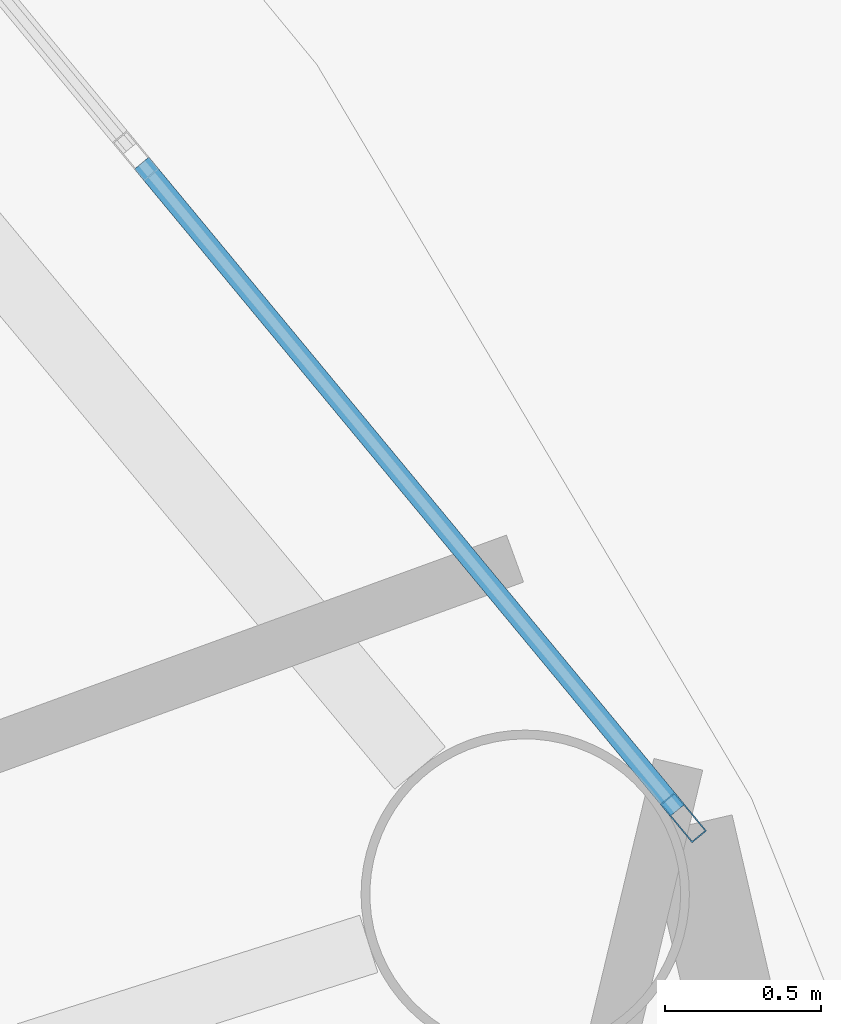
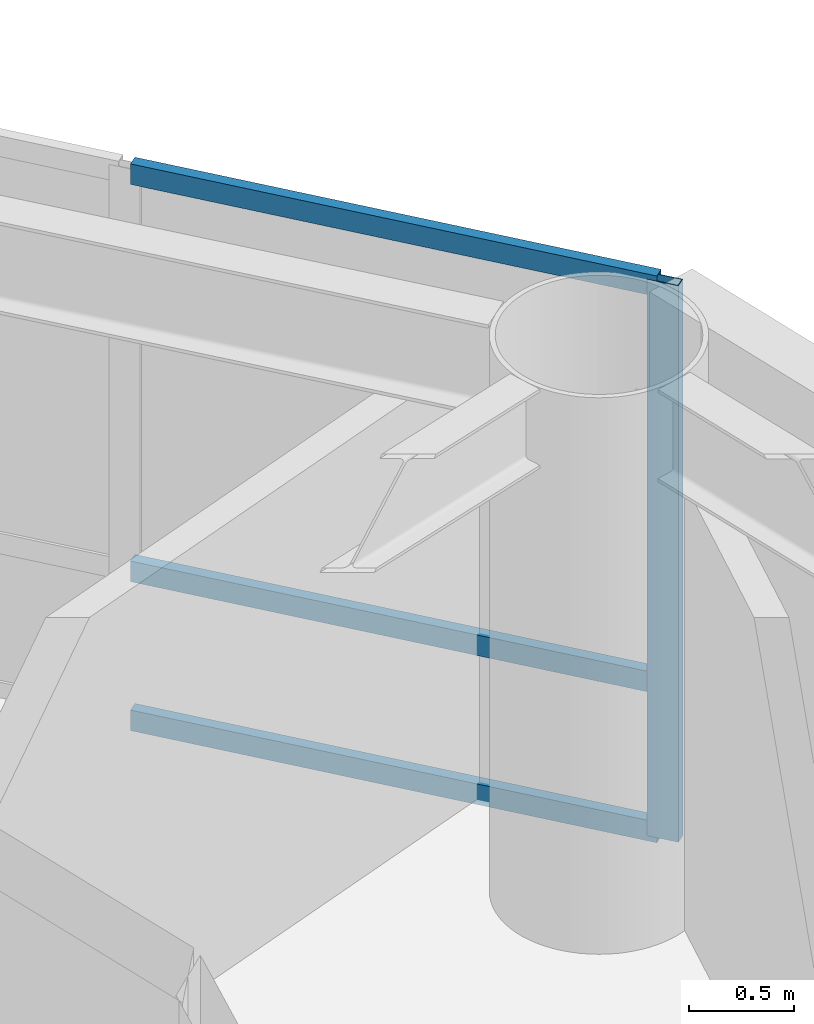
# One storey, part 11 of 24: 4 members, 1 element without a shape of its own.
"""IFC4 building model written with IfcOpenShell, lengths in metres."""

import ifcopenshell
import ifcopenshell.guid

model = None  # the IFC model being written
_history = None  # IfcOwnerHistory: only IFC2X3 demands one
_inside = {}  # id of a spatial element -> (the spatial element, [elements in it])
_under = {}  # id of a project, library or spatial element -> (it, [spatial elements below it])
_declared = {}  # id of a project -> (the project, [libraries it declares])
_typed = {}  # id of a type object -> (the type object, [elements of that type])
_made_of = {}  # id of a material, layer set ... -> (it, [elements and type objects made of it])


def new_model(schema):
    """Start an empty IFC model of exactly this schema.

    Asked for "IFC4X3", IfcOpenShell would pick the latest addendum, in which some entities
    have other attributes; the version numbers below select the first issue.
    IFC2X3 requires an IfcOwnerHistory on every rooted entity: one is made here for all.
    """
    global model, _history
    if schema == "IFC4X3":
        model = ifcopenshell.file(schema_version=(4, 3, 0, 0))
    else:
        model = ifcopenshell.file(schema=schema)
    _inside.clear()
    _under.clear()
    _declared.clear()
    _typed.clear()
    _made_of.clear()
    _history = None
    if model.schema == "IFC2X3":
        org = make("IfcOrganization", Name="unknown")
        user = make(
            "IfcPersonAndOrganization",
            ThePerson=make("IfcPerson", FamilyName="unknown"),
            TheOrganization=org,
        )
        app = make(
            "IfcApplication",
            ApplicationDeveloper=org,
            Version="unknown",
            ApplicationFullName="unknown",
            ApplicationIdentifier="unknown",
        )
        _history = make(
            "IfcOwnerHistory",
            OwningUser=user,
            OwningApplication=app,
            ChangeAction="ADDED",
            CreationDate=0,
        )
    return model


def make(cls, **values):
    """One entity of the class cls with the attributes given. An attribute that is None is left unset."""
    return model.create_entity(
        cls, **{name: value for name, value in values.items() if value is not None}
    )


def rooted(cls, **values):
    """An entity with a GlobalId (a new one), such as an element, a storey or a relation."""
    return make(cls, GlobalId=ifcopenshell.guid.new(), OwnerHistory=_history, **values)


def si_unit(unit_type, name, prefix=None):
    """IfcSIUnit, for example si_unit("LENGTHUNIT", "METRE", prefix="MILLI")."""
    return make("IfcSIUnit", UnitType=unit_type, Prefix=prefix, Name=name)


def assignment(units):
    """IfcUnitAssignment: the units of a project."""
    return None if units is None else make("IfcUnitAssignment", Units=units)


def point(xyz):
    """IfcCartesianPoint."""
    return None if xyz is None else make("IfcCartesianPoint", Coordinates=xyz)


def direction(xyz):
    """IfcDirection."""
    return None if xyz is None else make("IfcDirection", DirectionRatios=xyz)


def frame(location, z_axis=None, x_axis=None):
    """IfcAxis2Placement3D, a coordinate frame: its origin and axes. An axis left out is left unset."""
    return make(
        "IfcAxis2Placement3D",
        Location=point(location),
        Axis=direction(z_axis),
        RefDirection=direction(x_axis),
    )


def frame_2d(location, x_axis=None):
    """IfcAxis2Placement2D, a coordinate frame in the plane: its origin and x axis."""
    return make(
        "IfcAxis2Placement2D", Location=point(location), RefDirection=direction(x_axis)
    )


def origin():
    """The frame at (0, 0, 0) with its axes left unset."""
    return frame((0.0, 0.0, 0.0))


def origin_2d():
    """The frame at (0, 0) in the plane with its x axis left unset."""
    return frame_2d((0.0, 0.0))


def place(relative_to, where):
    """IfcLocalPlacement: puts the frame where relative to a parent placement (None: the world)."""
    return make(
        "IfcLocalPlacement", PlacementRelTo=relative_to, RelativePlacement=where
    )


def context(
    kind, dimensions, precision=None, world=None, true_north=None, identifier=None
):
    """IfcGeometricRepresentationContext, for example the 3D "Model" context."""
    return make(
        "IfcGeometricRepresentationContext",
        ContextIdentifier=identifier,
        ContextType=kind,
        CoordinateSpaceDimension=dimensions,
        Precision=precision,
        WorldCoordinateSystem=world,
        TrueNorth=true_north,
    )


def subcontext(parent, identifier, kind, view, scale=None):
    """IfcGeometricRepresentationSubContext, for example "Body" below "Model"."""
    return make(
        "IfcGeometricRepresentationSubContext",
        ContextIdentifier=identifier,
        ContextType=kind,
        ParentContext=parent,
        TargetScale=scale,
        TargetView=view,
    )


def project(units=None, contexts=None):
    """IfcProject with its units and contexts."""
    return rooted(
        "IfcProject",
        Name="project",
        RepresentationContexts=contexts,
        UnitsInContext=assignment(units),
    )


def spatial(cls, under=None, at=None, **own):
    """A site, building, storey or space (cls), placed at a placement, below another one or the project."""
    s = rooted(cls, ObjectPlacement=at, **own)
    if under is not None:
        _under.setdefault(under.id(), (under, []))[1].append(s)
    return s


def profile(cls, at=None, kind="AREA", **sizes):
    """A parametric profile (cls). Its sizes go by their IFC names, for example OverallWidth=200.0."""
    return make(cls, ProfileType=kind, Position=at, **sizes)


def hollow_rectangle(**sizes):
    """IfcRectangleHollowProfileDef."""
    return profile("IfcRectangleHollowProfileDef", **sizes)


def extrude(swept, where, along, depth):
    """IfcExtrudedAreaSolid: the profile swept, set in the frame where, extruded along a direction by depth."""
    return make(
        "IfcExtrudedAreaSolid",
        SweptArea=swept,
        Position=where,
        ExtrudedDirection=direction(along),
        Depth=depth,
    )


def shape(context_of_items, identifier, shape_type, items):
    """IfcShapeRepresentation: the items that make up one representation, for example the "Body"."""
    return make(
        "IfcShapeRepresentation",
        ContextOfItems=context_of_items,
        RepresentationIdentifier=identifier,
        RepresentationType=shape_type,
        Items=items,
    )


def material(Name=None, Category=None):
    """IfcMaterial."""
    return make("IfcMaterial", Name=Name, Category=Category)


def layer(
    of_material, thickness, ventilated=None, Name=None, Category=None, Priority=None
):
    """IfcMaterialLayer: one layer of a wall or slab, of a material (None: an air gap)."""
    return make(
        "IfcMaterialLayer",
        Material=of_material,
        LayerThickness=thickness,
        IsVentilated=ventilated,
        Name=Name,
        Category=Category,
        Priority=Priority,
    )


def layer_set(layers, Name=None):
    """IfcMaterialLayerSet."""
    return make("IfcMaterialLayerSet", MaterialLayers=layers, LayerSetName=Name)


def material_profile(
    of_material, cross_section, Name=None, Category=None, Priority=None
):
    """IfcMaterialProfile: a cross section and its material."""
    return make(
        "IfcMaterialProfile",
        Name=Name,
        Material=of_material,
        Profile=cross_section,
        Priority=Priority,
        Category=Category,
    )


def profile_set(profiles, Name=None, composite=None):
    """IfcMaterialProfileSet."""
    return make(
        "IfcMaterialProfileSet",
        Name=Name,
        MaterialProfiles=profiles,
        CompositeProfile=composite,
    )


def made_of(thing, what):
    """Note that an element or type object is made of a material, layer set ...; save() writes the relation."""
    if what is not None:
        _made_of.setdefault(what.id(), (what, []))[1].append(thing)
    return thing


def type_object(cls, material=None, **own):
    """A type object (cls), such as IfcWallType, which elements share."""
    return made_of(rooted(cls, **own), material)


def element(
    cls,
    number,
    at=None,
    inside=None,
    cuts=None,
    type_object=None,
    material=None,
    context=None,
    identifier="Body",
    shape_type=None,
    held_by="IfcProductDefinitionShape",
    body=None,
    shapes=None,
    **own,
):
    """One element of the class cls, such as IfcWall. Its Tag is "e" and its number.

    at: its placement. inside: the storey or other place that contains it. cuts: it is an
    opening in that element (IfcRelVoidsElement). A single representation is given by context,
    identifier, shape_type and body (its items); several are given by shapes. held_by: the class
    of the entity that holds the representations. save() writes the other relations.
    """
    e = rooted(cls, Tag="e%d" % number, ObjectPlacement=at, **own)
    if body is not None:
        shapes = [shape(context, identifier, shape_type, body)]
    if shapes is not None:
        e.Representation = make(held_by, Representations=shapes)
    if inside is not None:
        _inside.setdefault(inside.id(), (inside, []))[1].append(e)
    if cuts is not None:
        rooted(
            "IfcRelVoidsElement", RelatingBuildingElement=cuts, RelatedOpeningElement=e
        )
    if type_object is not None:
        _typed.setdefault(type_object.id(), (type_object, []))[1].append(e)
    return made_of(e, material)


def aggregate(whole, parts):
    """IfcRelAggregates: a whole, such as a stair, and the parts it consists of."""
    return rooted("IfcRelAggregates", RelatingObject=whole, RelatedObjects=parts)


def save(model, path):
    """Write the relations noted so far, then the file.

    IfcRelAggregates (storeys below a building ...), IfcRelContainedInSpatialStructure (elements
    in a storey), IfcRelDefinesByType, IfcRelAssociatesMaterial and IfcRelDeclares: one each for
    every whole, place, type object, material and project.
    """
    for whole, parts in _under.values():
        aggregate(whole, parts)
    for where, things in _inside.values():
        rooted(
            "IfcRelContainedInSpatialStructure",
            RelatedElements=things,
            RelatingStructure=where,
        )
    for kind, things in _typed.values():
        rooted("IfcRelDefinesByType", RelatedObjects=things, RelatingType=kind)
    for what, things in _made_of.values():
        rooted("IfcRelAssociatesMaterial", RelatedObjects=things, RelatingMaterial=what)
    for by, libraries in _declared.values():
        rooted("IfcRelDeclares", RelatingContext=by, RelatedDefinitions=libraries)
    model.write(path)


model = new_model("IFC4")

# Units and contexts
model_context = context("Model", 3, precision=1e-05, world=origin(), true_north=direction((0.0, 1.0)))
body_context = subcontext(model_context, "Body", "Model", "MODEL_VIEW")
ifc_project = project(units=[si_unit("LENGTHUNIT", "METRE"), si_unit("AREAUNIT", "SQUARE_METRE"), si_unit("VOLUMEUNIT", "CUBIC_METRE"), si_unit("PLANEANGLEUNIT", "RADIAN"), si_unit("MASSUNIT", "GRAM", prefix="KILO")], contexts=[model_context])

# Site, building, storey
site_placement = place(None, origin())
site = spatial("IfcSite", under=ifc_project, at=site_placement, CompositionType="ELEMENT")
building_placement = place(site_placement, origin())
building = spatial("IfcBuilding", under=site, at=building_placement, Name="Sarneth Arch Tower", CompositionType="ELEMENT")
storey_placement = place(building_placement, frame((0.0, 0.0, 253.199951171875)))
storey = spatial("IfcBuildingStorey", under=building, at=storey_placement, Name="L65", CompositionType="ELEMENT", Elevation=253.199951171875)

# Curtain wall, members
ifc_material_1 = material(Name="Anodised aluminium Type AA25 and solar-control low-e laminated IGU", Category="aluminium")
ifc_layer = layer(ifc_material_1, 0.179931640625)
ifc_layer_set = layer_set([ifc_layer], Name="Anodised aluminium Type AA25 and solar-control low-e laminated IGU")
curtain_wall_type = type_object("IfcCurtainWallType", Name="CW-RES-HIGH", PredefinedType="NOTDEFINED", material=ifc_layer_set)
curtain_wall_placement = place(storey_placement, origin())
curtain_wall = element("IfcCurtainWall", 1, at=curtain_wall_placement, inside=storey, type_object=curtain_wall_type, Name="L65 Unitised curtain wall facet 02", PredefinedType="NOTDEFINED")
ifc_material_2 = material(Name="Anodised Aluminium 6063-T6", Category="aluminium")
ifc_material_profile_1 = material_profile(ifc_material_2, hollow_rectangle(XDim=0.06005859375, YDim=0.159912109375, WallThickness=0.00390625, at=origin_2d()), Name="AL-MULL-160x60x4")
ifc_profile_set_1 = profile_set([ifc_material_profile_1], Name="Anodised Aluminium 6063-T6")
member_type_1 = type_object("IfcMemberType", Name="CW-MULLION", PredefinedType="MULLION", material=ifc_profile_set_1)
member_1_placement = place(storey_placement, frame((71.674560546875, 49.592529296875, 0.0), z_axis=(0.0, 0.0, 1.0), x_axis=(-0.770359245933, -0.637610094184, 0.0)))
member_1 = element("IfcMember", 2, at=member_1_placement, type_object=member_type_1, Name="CW-SYS-6 mullion 1", PredefinedType="MULLION", context=body_context, shape_type="SweptSolid", body=[
    extrude(hollow_rectangle(XDim=0.06005859375, YDim=0.159912109375, WallThickness=0.00390625, at=origin_2d()), origin(), (0.0, 0.0, 1.0), 3.25),
])
ifc_material_3 = material(Name="Anodised Aluminium 6063-T6", Category="aluminium")
ifc_material_profile_2 = material_profile(ifc_material_3, hollow_rectangle(XDim=0.06005859375, YDim=0.1201171875, WallThickness=0.00390625, at=origin_2d()), Name="AL-TRAN-120x60x4")
ifc_profile_set_2 = profile_set([ifc_material_profile_2], Name="Anodised Aluminium 6063-T6")
member_type_2 = type_object("IfcMemberType", Name="CW-TRANSOM", PredefinedType="USERDEFINED", material=ifc_profile_set_2)
member_2_placement = place(storey_placement, frame((71.655517578125, 49.61572265625, 0.030029296875), z_axis=(-0.637651400067, 0.770325056059, 0.0), x_axis=(-0.770325056059, -0.637651400067, 0.0)))
member_2 = element("IfcMember", 3, at=member_2_placement, type_object=member_type_2, Name="CW-SYS-6 transom 1.1", ObjectType="TRANSOM", PredefinedType="USERDEFINED", context=body_context, shape_type="SweptSolid", body=[
    extrude(hollow_rectangle(XDim=0.06005859375, YDim=0.1201171875, WallThickness=0.00390625, at=origin_2d()), origin(), (0.0, 0.0, 1.0), 2.6865234375),
])
member_3_placement = place(storey_placement, frame((71.655517578125, 49.61572265625, 0.900146484375), z_axis=(-0.637651400067, 0.770325056059, 0.0), x_axis=(-0.770325056059, -0.637651400067, 0.0)))
member_3 = element("IfcMember", 4, at=member_3_placement, type_object=member_type_2, Name="CW-SYS-6 transom 1.2", ObjectType="TRANSOM", PredefinedType="USERDEFINED", context=body_context, shape_type="SweptSolid", body=[
    extrude(hollow_rectangle(XDim=0.06005859375, YDim=0.1201171875, WallThickness=0.00390625, at=origin_2d()), origin(), (0.0, 0.0, 1.0), 2.6865234375),
])
member_4_placement = place(storey_placement, frame((71.655517578125, 49.61572265625, 3.219970703125), z_axis=(-0.637651400067, 0.770325056059, 0.0), x_axis=(-0.770325056059, -0.637651400067, 0.0)))
member_4 = element("IfcMember", 5, at=member_4_placement, type_object=member_type_2, Name="CW-SYS-6 transom 1.3", ObjectType="TRANSOM", PredefinedType="USERDEFINED", context=body_context, shape_type="SweptSolid", body=[
    extrude(hollow_rectangle(XDim=0.06005859375, YDim=0.1201171875, WallThickness=0.00390625, at=origin_2d()), origin(), (0.0, 0.0, 1.0), 2.6865234375),
])
aggregate(curtain_wall, [member_1, member_2, member_3, member_4])

save(model, "model.ifc")
